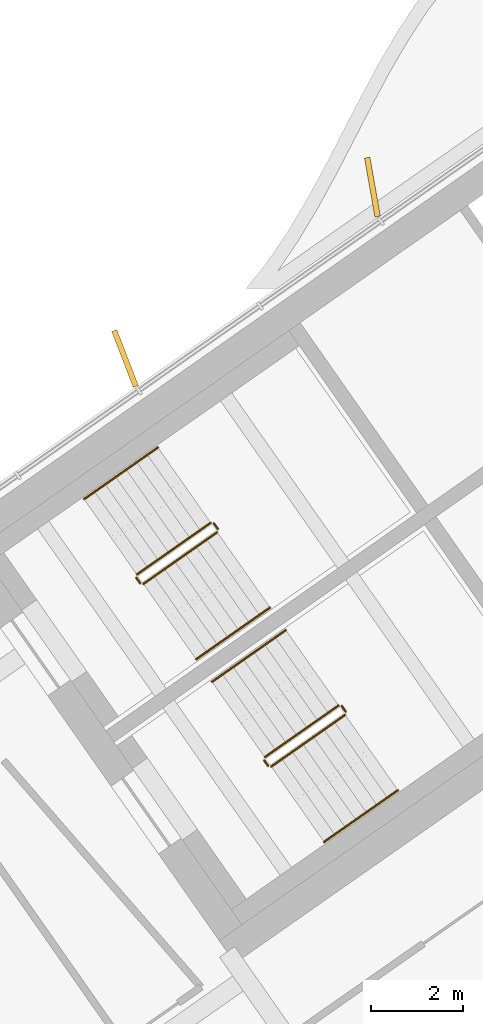
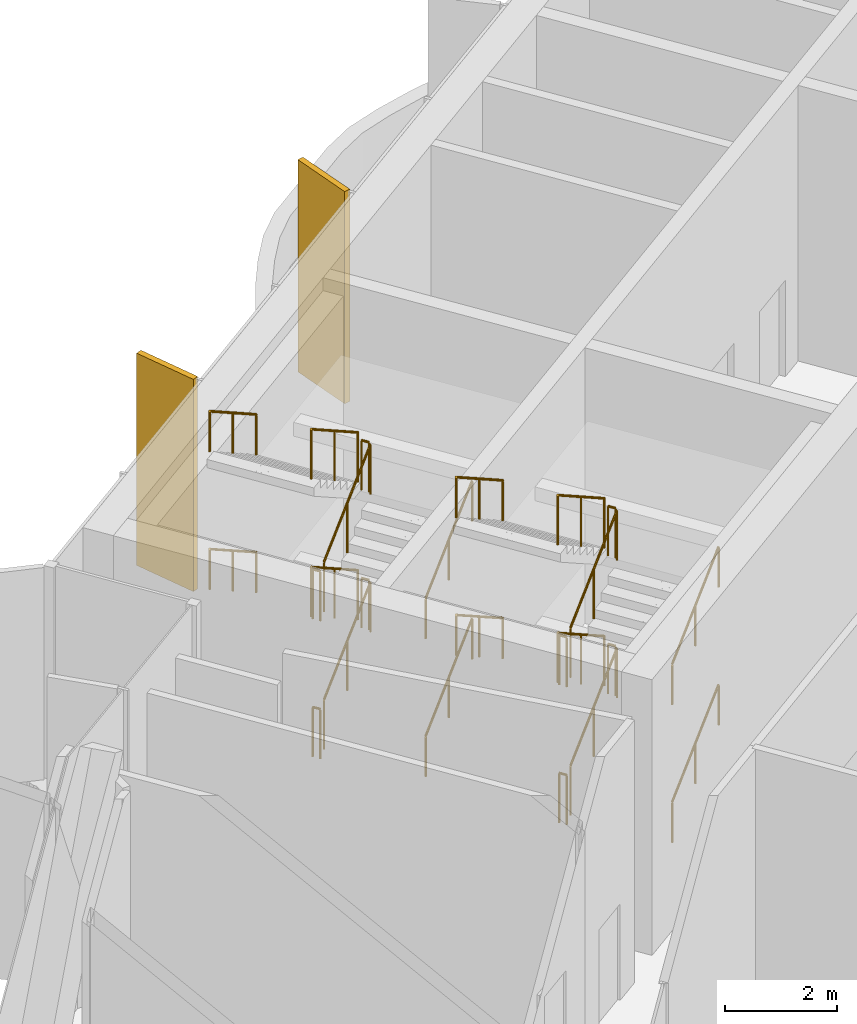
# One storey, part 18 of 22: 24 railings, 2 shading devices.
"""IFC4 building model written with IfcOpenShell, lengths in metres."""

from ifc_helpers import new_model, si_unit, direction, frame, origin, origin_2d, place, context, subcontext, project, spatial, rectangle, circle, extrude, material, layer, layer_set, type_object, element, save


model = new_model("IFC4")

# Units and contexts
model_context = context("Model", 3, precision=1e-05, world=origin(), true_north=direction((0.0, 1.0)))
body_context = subcontext(model_context, "Body", "Model", "MODEL_VIEW")
ifc_project = project(units=[si_unit("LENGTHUNIT", "METRE"), si_unit("AREAUNIT", "SQUARE_METRE"), si_unit("VOLUMEUNIT", "CUBIC_METRE"), si_unit("PLANEANGLEUNIT", "RADIAN"), si_unit("MASSUNIT", "GRAM", prefix="KILO")], contexts=[model_context])

# Site, building, storey
site_placement = place(None, origin())
site = spatial("IfcSite", under=ifc_project, at=site_placement, CompositionType="ELEMENT")
building_placement = place(site_placement, origin())
building = spatial("IfcBuilding", under=site, at=building_placement, Name="Tel Ilan Convention Tower", CompositionType="ELEMENT")
storey_placement = place(building_placement, frame((0.0, 0.0, 219.39990234375)))
storey = spatial("IfcBuildingStorey", under=building, at=storey_placement, Name="L51", CompositionType="ELEMENT", Elevation=219.39990234375)

# Shading devices
ifc_material_1 = material(Name="Aluminium, bronze anodised", Category="aluminium")
ifc_layer = layer(ifc_material_1, 0.1201171875)
ifc_layer_set = layer_set([ifc_layer], Name="FIN BRONZE 1300x120")
shading_device_type = type_object("IfcShadingDeviceType", Name="FIN BRONZE 1300x120", PredefinedType="USERDEFINED", material=ifc_layer_set)
for number, where, z_axis, x_axis, name in (
    (1, (-18.555419921875, 0.574951171875, 1.10009765625), (0.0, 0.0, 1.0), (-0.173648177667, 0.984807753012, 0.0), "FIN"),
    (2, (-23.935546875, -3.154541015625, 1.10009765625), (0.0, 0.0, 1.0), (-0.360177724803, 0.932883704733, 0.0), "FIN"),
):
    element("IfcShadingDevice", number, at=place(storey_placement, frame(where, z_axis=z_axis, x_axis=x_axis)), inside=storey, type_object=shading_device_type, Name=name, ObjectType="FIN", PredefinedType="USERDEFINED", context=body_context, shape_type="SweptSolid", body=[
        extrude(rectangle(XDim=1.300048828125, YDim=0.1201171875, at=origin_2d()), origin(), (0.0, 0.0, 1.0), 4.6201171875),
    ])

# Railings
ifc_material_2 = material(Name="Stainless Steel Grade 316", Category="steel")
railing_type_1 = type_object("IfcRailingType", Name="Stainless Steel Stair Guard 1100 mm", PredefinedType="GUARDRAIL", material=ifc_material_2)
railing_1_placement = place(storey_placement, frame((-23.535400390625, -8.056396484375, 0.1875)))
element("IfcRailing", 3, at=railing_1_placement, inside=storey, type_object=railing_type_1, Name="L51 S1 stair guard 1", PredefinedType="GUARDRAIL", context=body_context, shape_type="SweptSolid", body=[
    extrude(circle(Radius=0.02392578125, at=origin_2d()), frame((0.0, 0.0, 1.076171875), z_axis=(0.680615610069, 0.476617226942, 0.556415681224), x_axis=(-0.573612813533, 0.819126571508, 0.0)), (0.0, 0.0, 1.0), 2.35888671875),
    extrude(circle(Radius=0.02099609375, at=origin_2d()), origin(), (0.0, 0.0, 1.0), 1.052001953125),
    extrude(circle(Radius=0.02099609375, at=origin_2d()), frame((0.802734375, 0.56201171875, 0.65625)), (0.0, 0.0, 1.0), 1.052001953125),
    extrude(circle(Radius=0.02099609375, at=origin_2d()), frame((1.60546875, 1.124267578125, 1.3125)), (0.0, 0.0, 1.0), 1.052001953125),
])
railing_2_placement = place(storey_placement, frame((-21.91748046875, -6.862548828125, 1.5)))
element("IfcRailing", 4, at=railing_2_placement, inside=storey, type_object=railing_type_1, Name="L51 S1 stair guard 2", PredefinedType="GUARDRAIL", context=body_context, shape_type="SweptSolid", body=[
    extrude(circle(Radius=0.02392578125, at=origin_2d()), frame((0.0, 0.0, 1.076171875), z_axis=(-0.57368046593, 0.819079192149, 0.0), x_axis=(-0.819079192149, -0.57368046593, 0.0)), (0.0, 0.0, 1.0), 0.150146484375),
    extrude(circle(Radius=0.02099609375, at=origin_2d()), origin(), (0.0, 0.0, 1.0), 1.052001953125),
    extrude(circle(Radius=0.02099609375, at=origin_2d()), frame((-0.086181640625, 0.123046875, 0.0)), (0.0, 0.0, 1.0), 1.052001953125),
])
railing_3_placement = place(storey_placement, frame((-22.0732421875, -6.727294921875, 1.6875)))
element("IfcRailing", 5, at=railing_3_placement, inside=storey, type_object=railing_type_1, Name="L51 S1 stair guard 3", PredefinedType="GUARDRAIL", context=body_context, shape_type="SweptSolid", body=[
    extrude(circle(Radius=0.02392578125, at=origin_2d()), frame((0.0, 0.0, 1.076171875), z_axis=(-0.680615610069, -0.476617226942, 0.556415681224), x_axis=(0.573612813533, -0.819126571508, 0.0)), (0.0, 0.0, 1.0), 2.35888671875),
    extrude(circle(Radius=0.02099609375, at=origin_2d()), origin(), (0.0, 0.0, 1.0), 1.052001953125),
    extrude(circle(Radius=0.02099609375, at=origin_2d()), frame((-0.802734375, -0.56201171875, 0.65625)), (0.0, 0.0, 1.0), 1.052001953125),
    extrude(circle(Radius=0.02099609375, at=origin_2d()), frame((-1.60546875, -1.124267578125, 1.3125)), (0.0, 0.0, 1.0), 1.052001953125),
])
railing_4_placement = place(storey_placement, frame((-23.60498046875, -8.0439453125, 3.0)))
element("IfcRailing", 6, at=railing_4_placement, inside=storey, type_object=railing_type_1, Name="L51 S1 stair guard 4", PredefinedType="GUARDRAIL", context=body_context, shape_type="SweptSolid", body=[
    extrude(circle(Radius=0.02392578125, at=origin_2d()), frame((0.0, 0.0, 1.076171875), z_axis=(-0.574444878118, 0.818543268254, 0.0), x_axis=(-0.818543268254, -0.574444878118, 0.0)), (0.0, 0.0, 1.0), 0.150146484375),
    extrude(circle(Radius=0.02099609375, at=origin_2d()), origin(), (0.0, 0.0, 1.0), 1.052001953125),
    extrude(circle(Radius=0.02099609375, at=origin_2d()), frame((-0.086181640625, 0.122802734375, 0.0)), (0.0, 0.0, 1.0), 1.052001953125),
])
railing_5_placement = place(storey_placement, frame((-23.535400390625, -8.056396484375, 3.1875)))
element("IfcRailing", 7, at=railing_5_placement, inside=storey, type_object=railing_type_1, Name="L51 S1 stair guard 5", PredefinedType="GUARDRAIL", context=body_context, shape_type="SweptSolid", body=[
    extrude(circle(Radius=0.02392578125, at=origin_2d()), frame((0.0, 0.0, 1.076171875), z_axis=(0.680615610069, 0.476617226942, 0.556415681224), x_axis=(-0.573612813533, 0.819126571508, 0.0)), (0.0, 0.0, 1.0), 2.35888671875),
    extrude(circle(Radius=0.02099609375, at=origin_2d()), origin(), (0.0, 0.0, 1.0), 1.052001953125),
    extrude(circle(Radius=0.02099609375, at=origin_2d()), frame((0.802734375, 0.56201171875, 0.65625)), (0.0, 0.0, 1.0), 1.052001953125),
    extrude(circle(Radius=0.02099609375, at=origin_2d()), frame((1.60546875, 1.124267578125, 1.3125)), (0.0, 0.0, 1.0), 1.052001953125),
])
railing_6_placement = place(storey_placement, frame((-21.91748046875, -6.862548828125, 4.5)))
element("IfcRailing", 8, at=railing_6_placement, inside=storey, type_object=railing_type_1, Name="L51 S1 stair guard 6", PredefinedType="GUARDRAIL", context=body_context, shape_type="SweptSolid", body=[
    extrude(circle(Radius=0.02392578125, at=origin_2d()), frame((0.0, 0.0, 1.076171875), z_axis=(-0.57368046593, 0.819079192149, 0.0), x_axis=(-0.819079192149, -0.57368046593, 0.0)), (0.0, 0.0, 1.0), 0.150146484375),
    extrude(circle(Radius=0.02099609375, at=origin_2d()), origin(), (0.0, 0.0, 1.0), 1.052001953125),
    extrude(circle(Radius=0.02099609375, at=origin_2d()), frame((-0.086181640625, 0.123046875, 0.0)), (0.0, 0.0, 1.0), 1.052001953125),
])
railing_7_placement = place(storey_placement, frame((-22.0732421875, -6.727294921875, 4.6875)))
element("IfcRailing", 9, at=railing_7_placement, inside=storey, type_object=railing_type_1, Name="L51 S1 stair guard 7", PredefinedType="GUARDRAIL", context=body_context, shape_type="SweptSolid", body=[
    extrude(circle(Radius=0.02392578125, at=origin_2d()), frame((0.0, 0.0, 1.076171875), z_axis=(-0.680615610069, -0.476617226942, 0.556415681224), x_axis=(0.573612813533, -0.819126571508, 0.0)), (0.0, 0.0, 1.0), 2.35888671875),
    extrude(circle(Radius=0.02099609375, at=origin_2d()), origin(), (0.0, 0.0, 1.0), 1.052001953125),
    extrude(circle(Radius=0.02099609375, at=origin_2d()), frame((-0.802734375, -0.56201171875, 0.65625)), (0.0, 0.0, 1.0), 1.052001953125),
    extrude(circle(Radius=0.02099609375, at=origin_2d()), frame((-1.60546875, -1.124267578125, 1.3125)), (0.0, 0.0, 1.0), 1.052001953125),
])
railing_8_placement = place(storey_placement, frame((-23.60498046875, -8.0439453125, 0.0)))
element("IfcRailing", 10, at=railing_8_placement, inside=storey, type_object=railing_type_1, Name="L51 S1 stair guard 8", PredefinedType="GUARDRAIL", context=body_context, shape_type="SweptSolid", body=[
    extrude(circle(Radius=0.02392578125, at=origin_2d()), frame((0.0, 0.0, 1.076171875), z_axis=(-0.574444878118, 0.818543268254, 0.0), x_axis=(-0.818543268254, -0.574444878118, 0.0)), (0.0, 0.0, 1.0), 0.150146484375),
    extrude(circle(Radius=0.02099609375, at=origin_2d()), origin(), (0.0, 0.0, 1.0), 1.052001953125),
    extrude(circle(Radius=0.02099609375, at=origin_2d()), frame((-0.086181640625, 0.122802734375, 0.0)), (0.0, 0.0, 1.0), 1.052001953125),
])
railing_9_placement = place(storey_placement, frame((-20.753662109375, -12.029296875, 0.1875)))
element("IfcRailing", 11, at=railing_9_placement, inside=storey, type_object=railing_type_1, Name="L51 S2 stair guard 1", PredefinedType="GUARDRAIL", context=body_context, shape_type="SweptSolid", body=[
    extrude(circle(Radius=0.02392578125, at=origin_2d()), frame((0.0, 0.0, 1.076171875), z_axis=(0.680671159075, 0.476583653268, 0.55637648642), x_axis=(-0.573554290663, 0.819167550421, 0.0)), (0.0, 0.0, 1.0), 2.359130859375),
    extrude(circle(Radius=0.02099609375, at=origin_2d()), origin(), (0.0, 0.0, 1.0), 1.052001953125),
    extrude(circle(Radius=0.02099609375, at=origin_2d()), frame((0.802734375, 0.56201171875, 0.65625)), (0.0, 0.0, 1.0), 1.052001953125),
    extrude(circle(Radius=0.02099609375, at=origin_2d()), frame((1.605712890625, 1.124267578125, 1.3125)), (0.0, 0.0, 1.0), 1.052001953125),
])
railing_10_placement = place(storey_placement, frame((-19.1357421875, -10.83544921875, 1.5)))
element("IfcRailing", 12, at=railing_10_placement, inside=storey, type_object=railing_type_1, Name="L51 S2 stair guard 2", PredefinedType="GUARDRAIL", context=body_context, shape_type="SweptSolid", body=[
    extrude(circle(Radius=0.02392578125, at=origin_2d()), frame((0.0, 0.0, 1.076171875), z_axis=(-0.572588637393, 0.819842821722, 0.0), x_axis=(-0.819842821722, -0.572588637393, 0.0)), (0.0, 0.0, 1.0), 0.150146484375),
    extrude(circle(Radius=0.02099609375, at=origin_2d()), origin(), (0.0, 0.0, 1.0), 1.052001953125),
    extrude(circle(Radius=0.02099609375, at=origin_2d()), frame((-0.0859375, 0.123046875, 0.0)), (0.0, 0.0, 1.0), 1.052001953125),
])
railing_11_placement = place(storey_placement, frame((-19.29150390625, -10.7001953125, 1.6875)))
element("IfcRailing", 13, at=railing_11_placement, inside=storey, type_object=railing_type_1, Name="L51 S2 stair guard 3", PredefinedType="GUARDRAIL", context=body_context, shape_type="SweptSolid", body=[
    extrude(circle(Radius=0.02392578125, at=origin_2d()), frame((0.0, 0.0, 1.076171875), z_axis=(-0.680615610069, -0.476617226942, 0.556415681224), x_axis=(0.573612813533, -0.819126571508, 0.0)), (0.0, 0.0, 1.0), 2.35888671875),
    extrude(circle(Radius=0.02099609375, at=origin_2d()), origin(), (0.0, 0.0, 1.0), 1.052001953125),
    extrude(circle(Radius=0.02099609375, at=origin_2d()), frame((-0.802734375, -0.56201171875, 0.65625)), (0.0, 0.0, 1.0), 1.052001953125),
    extrude(circle(Radius=0.02099609375, at=origin_2d()), frame((-1.60546875, -1.124267578125, 1.3125)), (0.0, 0.0, 1.0), 1.052001953125),
])
railing_12_placement = place(storey_placement, frame((-20.8232421875, -12.016845703125, 3.0)))
element("IfcRailing", 14, at=railing_12_placement, inside=storey, type_object=railing_type_1, Name="L51 S2 stair guard 4", PredefinedType="GUARDRAIL", context=body_context, shape_type="SweptSolid", body=[
    extrude(circle(Radius=0.02392578125, at=origin_2d()), frame((0.0, 0.0, 1.076171875), z_axis=(-0.573353020881, 0.819308436089, 0.0), x_axis=(-0.819308436089, -0.573353020881, 0.0)), (0.0, 0.0, 1.0), 0.14990234375),
    extrude(circle(Radius=0.02099609375, at=origin_2d()), origin(), (0.0, 0.0, 1.0), 1.052001953125),
    extrude(circle(Radius=0.02099609375, at=origin_2d()), frame((-0.0859375, 0.122802734375, 0.0)), (0.0, 0.0, 1.0), 1.052001953125),
])
railing_13_placement = place(storey_placement, frame((-20.753662109375, -12.029296875, 3.1875)))
element("IfcRailing", 15, at=railing_13_placement, inside=storey, type_object=railing_type_1, Name="L51 S2 stair guard 5", PredefinedType="GUARDRAIL", context=body_context, shape_type="SweptSolid", body=[
    extrude(circle(Radius=0.02392578125, at=origin_2d()), frame((0.0, 0.0, 1.076171875), z_axis=(0.680671159075, 0.476583653268, 0.55637648642), x_axis=(-0.573554290663, 0.819167550421, 0.0)), (0.0, 0.0, 1.0), 2.359130859375),
    extrude(circle(Radius=0.02099609375, at=origin_2d()), origin(), (0.0, 0.0, 1.0), 1.052001953125),
    extrude(circle(Radius=0.02099609375, at=origin_2d()), frame((0.802734375, 0.56201171875, 0.65625)), (0.0, 0.0, 1.0), 1.052001953125),
    extrude(circle(Radius=0.02099609375, at=origin_2d()), frame((1.605712890625, 1.124267578125, 1.3125)), (0.0, 0.0, 1.0), 1.052001953125),
])
railing_14_placement = place(storey_placement, frame((-19.1357421875, -10.83544921875, 4.5)))
element("IfcRailing", 16, at=railing_14_placement, inside=storey, type_object=railing_type_1, Name="L51 S2 stair guard 6", PredefinedType="GUARDRAIL", context=body_context, shape_type="SweptSolid", body=[
    extrude(circle(Radius=0.02392578125, at=origin_2d()), frame((0.0, 0.0, 1.076171875), z_axis=(-0.572588637393, 0.819842821722, 0.0), x_axis=(-0.819842821722, -0.572588637393, 0.0)), (0.0, 0.0, 1.0), 0.150146484375),
    extrude(circle(Radius=0.02099609375, at=origin_2d()), origin(), (0.0, 0.0, 1.0), 1.052001953125),
    extrude(circle(Radius=0.02099609375, at=origin_2d()), frame((-0.0859375, 0.123046875, 0.0)), (0.0, 0.0, 1.0), 1.052001953125),
])
railing_15_placement = place(storey_placement, frame((-19.29150390625, -10.7001953125, 4.6875)))
element("IfcRailing", 17, at=railing_15_placement, inside=storey, type_object=railing_type_1, Name="L51 S2 stair guard 7", PredefinedType="GUARDRAIL", context=body_context, shape_type="SweptSolid", body=[
    extrude(circle(Radius=0.02392578125, at=origin_2d()), frame((0.0, 0.0, 1.076171875), z_axis=(-0.680615610069, -0.476617226942, 0.556415681224), x_axis=(0.573612813533, -0.819126571508, 0.0)), (0.0, 0.0, 1.0), 2.35888671875),
    extrude(circle(Radius=0.02099609375, at=origin_2d()), origin(), (0.0, 0.0, 1.0), 1.052001953125),
    extrude(circle(Radius=0.02099609375, at=origin_2d()), frame((-0.802734375, -0.56201171875, 0.65625)), (0.0, 0.0, 1.0), 1.052001953125),
    extrude(circle(Radius=0.02099609375, at=origin_2d()), frame((-1.60546875, -1.124267578125, 1.3125)), (0.0, 0.0, 1.0), 1.052001953125),
])
railing_16_placement = place(storey_placement, frame((-20.8232421875, -12.016845703125, 0.0)))
element("IfcRailing", 18, at=railing_16_placement, inside=storey, type_object=railing_type_1, Name="L51 S2 stair guard 8", PredefinedType="GUARDRAIL", context=body_context, shape_type="SweptSolid", body=[
    extrude(circle(Radius=0.02392578125, at=origin_2d()), frame((0.0, 0.0, 1.076171875), z_axis=(-0.573353020881, 0.819308436089, 0.0), x_axis=(-0.819308436089, -0.573353020881, 0.0)), (0.0, 0.0, 1.0), 0.14990234375),
    extrude(circle(Radius=0.02099609375, at=origin_2d()), origin(), (0.0, 0.0, 1.0), 1.052001953125),
    extrude(circle(Radius=0.02099609375, at=origin_2d()), frame((-0.0859375, 0.122802734375, 0.0)), (0.0, 0.0, 1.0), 1.052001953125),
])
ifc_material_3 = material(Name="Stainless Steel Grade 316", Category="steel")
railing_type_2 = type_object("IfcRailingType", Name="Stainless Steel Stair Handrail 900 mm", PredefinedType="HANDRAIL", material=ifc_material_3)
railing_17_placement = place(storey_placement, frame((-22.38818359375, -9.694580078125, 0.1875)))
element("IfcRailing", 19, at=railing_17_placement, inside=storey, type_object=railing_type_2, Name="L51 S1 stair handrail 1", PredefinedType="HANDRAIL", context=body_context, shape_type="SweptSolid", body=[
    extrude(circle(Radius=0.02392578125, at=origin_2d()), frame((0.0, 0.0, 0.8759765625), z_axis=(0.680615610069, 0.476617226942, 0.556415681224), x_axis=(-0.573612813533, 0.819126571508, 0.0)), (0.0, 0.0, 1.0), 2.35888671875),
    extrude(circle(Radius=0.02099609375, at=origin_2d()), origin(), (0.0, 0.0, 1.0), 0.851806640625),
    extrude(circle(Radius=0.02099609375, at=origin_2d()), frame((0.802734375, 0.56201171875, 0.65625)), (0.0, 0.0, 1.0), 0.851806640625),
    extrude(circle(Radius=0.02099609375, at=origin_2d()), frame((1.60546875, 1.124267578125, 1.3125)), (0.0, 0.0, 1.0), 0.851806640625),
])
railing_18_placement = place(storey_placement, frame((-23.220458984375, -5.089111328125, 1.6875)))
element("IfcRailing", 20, at=railing_18_placement, inside=storey, type_object=railing_type_2, Name="L51 S1 stair handrail 2", PredefinedType="HANDRAIL", context=body_context, shape_type="SweptSolid", body=[
    extrude(circle(Radius=0.02392578125, at=origin_2d()), frame((0.0, 0.0, 0.8759765625), z_axis=(-0.680649183577, -0.476537232541, 0.55644312818), x_axis=(0.573529226717, -0.819185098803, 0.0)), (0.0, 0.0, 1.0), 2.358642578125),
    extrude(circle(Radius=0.02099609375, at=origin_2d()), origin(), (0.0, 0.0, 1.0), 0.851806640625),
    extrude(circle(Radius=0.02099609375, at=origin_2d()), frame((-0.802734375, -0.56201171875, 0.65625)), (0.0, 0.0, 1.0), 0.851806640625),
    extrude(circle(Radius=0.02099609375, at=origin_2d()), frame((-1.60546875, -1.1240234375, 1.3125)), (0.0, 0.0, 1.0), 0.851806640625),
])
railing_19_placement = place(storey_placement, frame((-22.38818359375, -9.694580078125, 3.1875)))
element("IfcRailing", 21, at=railing_19_placement, inside=storey, type_object=railing_type_2, Name="L51 S1 stair handrail 3", PredefinedType="HANDRAIL", context=body_context, shape_type="SweptSolid", body=[
    extrude(circle(Radius=0.02392578125, at=origin_2d()), frame((0.0, 0.0, 0.8759765625), z_axis=(0.680615610069, 0.476617226942, 0.556415681224), x_axis=(-0.573612813533, 0.819126571508, 0.0)), (0.0, 0.0, 1.0), 2.35888671875),
    extrude(circle(Radius=0.02099609375, at=origin_2d()), origin(), (0.0, 0.0, 1.0), 0.851806640625),
    extrude(circle(Radius=0.02099609375, at=origin_2d()), frame((0.802734375, 0.56201171875, 0.65625)), (0.0, 0.0, 1.0), 0.851806640625),
    extrude(circle(Radius=0.02099609375, at=origin_2d()), frame((1.60546875, 1.124267578125, 1.3125)), (0.0, 0.0, 1.0), 0.851806640625),
])
railing_20_placement = place(storey_placement, frame((-23.220458984375, -5.089111328125, 4.6875)))
element("IfcRailing", 22, at=railing_20_placement, inside=storey, type_object=railing_type_2, Name="L51 S1 stair handrail 4", PredefinedType="HANDRAIL", context=body_context, shape_type="SweptSolid", body=[
    extrude(circle(Radius=0.02392578125, at=origin_2d()), frame((0.0, 0.0, 0.8759765625), z_axis=(-0.680649183577, -0.476537232541, 0.55644312818), x_axis=(0.573529226717, -0.819185098803, 0.0)), (0.0, 0.0, 1.0), 2.358642578125),
    extrude(circle(Radius=0.02099609375, at=origin_2d()), origin(), (0.0, 0.0, 1.0), 0.851806640625),
    extrude(circle(Radius=0.02099609375, at=origin_2d()), frame((-0.802734375, -0.56201171875, 0.65625)), (0.0, 0.0, 1.0), 0.851806640625),
    extrude(circle(Radius=0.02099609375, at=origin_2d()), frame((-1.60546875, -1.1240234375, 1.3125)), (0.0, 0.0, 1.0), 0.851806640625),
])
railing_21_placement = place(storey_placement, frame((-19.6064453125, -13.66748046875, 0.1875)))
element("IfcRailing", 23, at=railing_21_placement, inside=storey, type_object=railing_type_2, Name="L51 S2 stair handrail 1", PredefinedType="HANDRAIL", context=body_context, shape_type="SweptSolid", body=[
    extrude(circle(Radius=0.02392578125, at=origin_2d()), frame((0.0, 0.0, 0.8759765625), z_axis=(0.680615610069, 0.476617226942, 0.556415681224), x_axis=(-0.573612813533, 0.819126571508, 0.0)), (0.0, 0.0, 1.0), 2.35888671875),
    extrude(circle(Radius=0.02099609375, at=origin_2d()), origin(), (0.0, 0.0, 1.0), 0.851806640625),
    extrude(circle(Radius=0.02099609375, at=origin_2d()), frame((0.802734375, 0.56201171875, 0.65625)), (0.0, 0.0, 1.0), 0.851806640625),
    extrude(circle(Radius=0.02099609375, at=origin_2d()), frame((1.60546875, 1.124267578125, 1.3125)), (0.0, 0.0, 1.0), 0.851806640625),
])
railing_22_placement = place(storey_placement, frame((-20.4384765625, -9.06201171875, 1.6875)))
element("IfcRailing", 24, at=railing_22_placement, inside=storey, type_object=railing_type_2, Name="L51 S2 stair handrail 2", PredefinedType="HANDRAIL", context=body_context, shape_type="SweptSolid", body=[
    extrude(circle(Radius=0.02392578125, at=origin_2d()), frame((0.0, 0.0, 0.8759765625), z_axis=(-0.680704730592, -0.47650366119, 0.556403927576), x_axis=(0.573470704013, -0.8192260687, 0.0)), (0.0, 0.0, 1.0), 2.35888671875),
    extrude(circle(Radius=0.02099609375, at=origin_2d()), origin(), (0.0, 0.0, 1.0), 0.851806640625),
    extrude(circle(Radius=0.02099609375, at=origin_2d()), frame((-0.802734375, -0.56201171875, 0.65625)), (0.0, 0.0, 1.0), 0.851806640625),
    extrude(circle(Radius=0.02099609375, at=origin_2d()), frame((-1.605712890625, -1.1240234375, 1.3125)), (0.0, 0.0, 1.0), 0.851806640625),
])
railing_23_placement = place(storey_placement, frame((-19.6064453125, -13.66748046875, 3.1875)))
element("IfcRailing", 25, at=railing_23_placement, inside=storey, type_object=railing_type_2, Name="L51 S2 stair handrail 3", PredefinedType="HANDRAIL", context=body_context, shape_type="SweptSolid", body=[
    extrude(circle(Radius=0.02392578125, at=origin_2d()), frame((0.0, 0.0, 0.8759765625), z_axis=(0.680615610069, 0.476617226942, 0.556415681224), x_axis=(-0.573612813533, 0.819126571508, 0.0)), (0.0, 0.0, 1.0), 2.35888671875),
    extrude(circle(Radius=0.02099609375, at=origin_2d()), origin(), (0.0, 0.0, 1.0), 0.851806640625),
    extrude(circle(Radius=0.02099609375, at=origin_2d()), frame((0.802734375, 0.56201171875, 0.65625)), (0.0, 0.0, 1.0), 0.851806640625),
    extrude(circle(Radius=0.02099609375, at=origin_2d()), frame((1.60546875, 1.124267578125, 1.3125)), (0.0, 0.0, 1.0), 0.851806640625),
])
railing_24_placement = place(storey_placement, frame((-20.4384765625, -9.06201171875, 4.6875)))
element("IfcRailing", 26, at=railing_24_placement, inside=storey, type_object=railing_type_2, Name="L51 S2 stair handrail 4", PredefinedType="HANDRAIL", context=body_context, shape_type="SweptSolid", body=[
    extrude(circle(Radius=0.02392578125, at=origin_2d()), frame((0.0, 0.0, 0.8759765625), z_axis=(-0.680704730592, -0.47650366119, 0.556403927576), x_axis=(0.573470704013, -0.8192260687, 0.0)), (0.0, 0.0, 1.0), 2.35888671875),
    extrude(circle(Radius=0.02099609375, at=origin_2d()), origin(), (0.0, 0.0, 1.0), 0.851806640625),
    extrude(circle(Radius=0.02099609375, at=origin_2d()), frame((-0.802734375, -0.56201171875, 0.65625)), (0.0, 0.0, 1.0), 0.851806640625),
    extrude(circle(Radius=0.02099609375, at=origin_2d()), frame((-1.605712890625, -1.1240234375, 1.3125)), (0.0, 0.0, 1.0), 0.851806640625),
])

save(model, "model.ifc")
